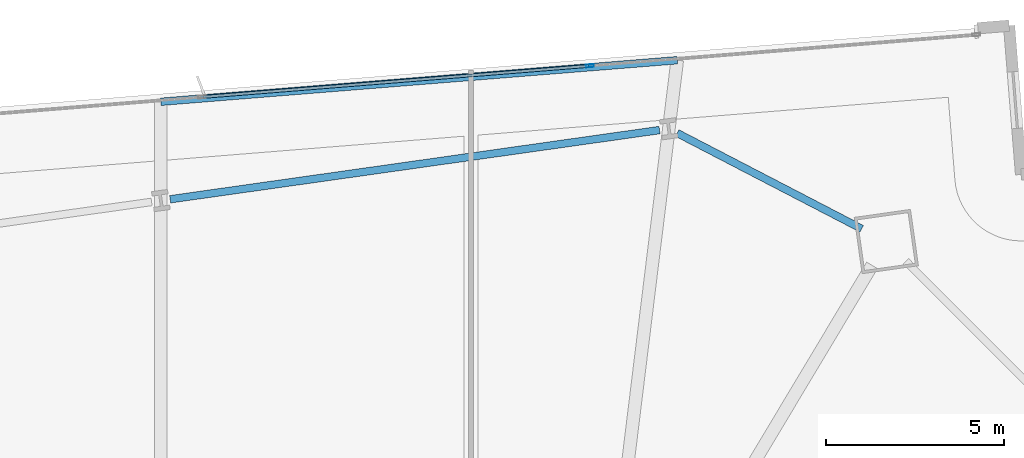
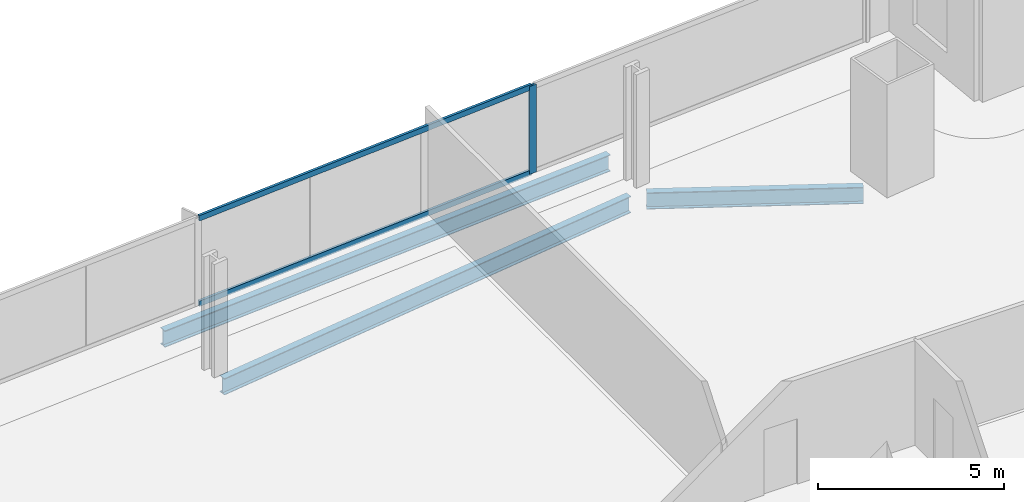
# One storey, part 22 of 33: 3 beams, 3 members, 1 element without a shape of its own.
"""IFC4 building model written with IfcOpenShell, lengths in metres."""

from ifc_helpers import new_model, si_unit, direction, frame, origin, origin_2d, place, context, subcontext, project, spatial, hollow_rectangle, i_section, extrude, material, material_profile, profile_set, type_object, element, aggregate, save


model = new_model("IFC4")

# Units and contexts
model_context = context("Model", 3, precision=1e-05, world=origin(), true_north=direction((0.0, 1.0)))
body_context = subcontext(model_context, "Body", "Model", "MODEL_VIEW")
ifc_project = project(units=[si_unit("LENGTHUNIT", "METRE"), si_unit("AREAUNIT", "SQUARE_METRE"), si_unit("VOLUMEUNIT", "CUBIC_METRE"), si_unit("PLANEANGLEUNIT", "RADIAN"), si_unit("MASSUNIT", "GRAM", prefix="KILO")], contexts=[model_context])

# Site, building, storey
site_placement = place(None, origin())
site = spatial("IfcSite", under=ifc_project, at=site_placement, CompositionType="ELEMENT")
building_placement = place(site_placement, origin())
building = spatial("IfcBuilding", under=site, at=building_placement, Name="Haldenkirk Collegiate Tower", CompositionType="ELEMENT")
storey_placement = place(building_placement, frame((0.0, 0.0, 43.949951171875)))
storey = spatial("IfcBuildingStorey", under=building, at=storey_placement, Name="L09", CompositionType="ELEMENT", Elevation=43.949951171875)

# Beams
ifc_material_1 = material(Name="Steel ASTM A992 Grade 50", Category="steel")
ifc_material_profile_1 = material_profile(ifc_material_1, i_section(OverallWidth=0.2119140625, OverallDepth=0.5439453125, WebThickness=0.01318359375, FlangeThickness=0.021240234375, at=origin_2d()), Name="W21X83")
ifc_profile_set_1 = profile_set([ifc_material_profile_1], Name="Steel ASTM A992 Grade 50")
beam_type = type_object("IfcBeamType", Name="BM-SPANDREL-W21X83", PredefinedType="SPANDREL", material=ifc_profile_set_1)
beam_1_placement = place(storey_placement, frame((52.4921875, 48.029296875, -0.58203125), z_axis=(-0.887648364794, 0.460521856678, 0.0), x_axis=(-0.460521856678, -0.887648364794, 0.0)))
element("IfcBeam", 1, at=beam_1_placement, inside=storey, type_object=beam_type, Name="L09 perimeter spandrel beam 09", PredefinedType="SPANDREL", context=body_context, shape_type="SweptSolid", body=[
    extrude(i_section(OverallWidth=0.2119140625, OverallDepth=0.5439453125, WebThickness=0.01318359375, FlangeThickness=0.021240234375, at=origin_2d()), origin(), (0.0, 0.0, 1.0), 5.848388671875),
])
beam_2_placement = place(storey_placement, frame((46.803955078125, 50.807373046875, -0.58203125), z_axis=(-0.990146197746, -0.14003752029, 0.0), x_axis=(0.14003752029, -0.990146197746, 0.0)))
element("IfcBeam", 2, at=beam_2_placement, inside=storey, type_object=beam_type, Name="L09 perimeter spandrel beam 10", PredefinedType="SPANDREL", context=body_context, shape_type="SweptSolid", body=[
    extrude(i_section(OverallWidth=0.2119140625, OverallDepth=0.5439453125, WebThickness=0.01318359375, FlangeThickness=0.021240234375, at=origin_2d()), origin(), (0.0, 0.0, 1.0), 13.906982421875),
])
beam_3_placement = place(storey_placement, frame((47.302490234375, 52.772705078125, -0.58203125), z_axis=(-0.996778267458, -0.080206517959, 0.0), x_axis=(0.080206517959, -0.996778267458, 0.0)))
element("IfcBeam", 3, at=beam_3_placement, inside=storey, type_object=beam_type, Name="L09 outer facade edge beam 3", PredefinedType="SPANDREL", context=body_context, shape_type="SweptSolid", body=[
    extrude(i_section(OverallWidth=0.2119140625, OverallDepth=0.5439453125, WebThickness=0.01318359375, FlangeThickness=0.021240234375, at=origin_2d()), origin(), (0.0, 0.0, 1.0), 14.5771484375),
])

# Curtain wall, members
ifc_material_2 = material(Name="Anodised architectural bronze aluminium", Category="aluminium")
curtain_wall_type = type_object("IfcCurtainWallType", Name="CW-SYS1-CONVEX-LOW", PredefinedType="USERDEFINED", material=ifc_material_2)
curtain_wall_placement = place(storey_placement, origin())
curtain_wall = element("IfcCurtainWall", 4, at=curtain_wall_placement, inside=storey, type_object=curtain_wall_type, Name="L09 Lower tower convex bronze-framed unitised curtain wall", ObjectType="UNITISED CURTAIN WALL", PredefinedType="USERDEFINED")
ifc_material_profile_2 = material_profile(ifc_material_2, hollow_rectangle(XDim=0.080078125, YDim=0.219970703125, WallThickness=0.0048828125, at=origin_2d()), Name="CW-MUL-1A")
ifc_profile_set_2 = profile_set([ifc_material_profile_2], Name="Anodised architectural bronze aluminium")
member_type_1 = type_object("IfcMemberType", Name="CW-MUL-1A", PredefinedType="MULLION", material=ifc_profile_set_2)
member_1_placement = place(storey_placement, frame((44.843994140625, 52.614990234375, 0.0), z_axis=(0.0, 0.0, 1.0), x_axis=(-0.08019865918, 0.99677889979, 0.0)))
member_1 = element("IfcMember", 5, at=member_1_placement, type_object=member_type_1, Name="CW-1A mullion 4", PredefinedType="MULLION", context=body_context, shape_type="SweptSolid", body=[
    extrude(hollow_rectangle(XDim=0.080078125, YDim=0.219970703125, WallThickness=0.0048828125, at=origin_2d()), origin(), (0.0, 0.0, 1.0), 2.89111328125),
])
ifc_material_profile_3 = material_profile(ifc_material_2, hollow_rectangle(XDim=0.080078125, YDim=0.179931640625, WallThickness=0.0048828125, at=origin_2d()), Name="CW-TRN-1A")
ifc_profile_set_3 = profile_set([ifc_material_profile_3], Name="Anodised architectural bronze aluminium")
member_type_2 = type_object("IfcMemberType", Name="CW-TRN-1A", PredefinedType="USERDEFINED", material=ifc_profile_set_3)
member_2_placement = place(storey_placement, frame((33.96923828125, 51.739990234375, 0.0400390625), z_axis=(0.996778393691, 0.080204949163, 0.0), x_axis=(-0.080204949163, 0.996778393691, 0.0)))
member_2 = element("IfcMember", 6, at=member_2_placement, type_object=member_type_2, Name="CW-1A transom 3.1", ObjectType="TRANSOM", PredefinedType="USERDEFINED", context=body_context, shape_type="SweptSolid", body=[
    extrude(hollow_rectangle(XDim=0.080078125, YDim=0.179931640625, WallThickness=0.0048828125, at=origin_2d()), origin(), (0.0, 0.0, 1.0), 10.869873046875),
])
member_3_placement = place(storey_placement, frame((33.96923828125, 51.739990234375, 2.85107421875), z_axis=(0.996778393691, 0.080204949163, 0.0), x_axis=(-0.080204949163, 0.996778393691, 0.0)))
member_3 = element("IfcMember", 7, at=member_3_placement, type_object=member_type_2, Name="CW-1A transom 3.2", ObjectType="TRANSOM", PredefinedType="USERDEFINED", context=body_context, shape_type="SweptSolid", body=[
    extrude(hollow_rectangle(XDim=0.080078125, YDim=0.179931640625, WallThickness=0.0048828125, at=origin_2d()), origin(), (0.0, 0.0, 1.0), 10.869873046875),
])
aggregate(curtain_wall, [member_1, member_2, member_3])

save(model, "model.ifc")
